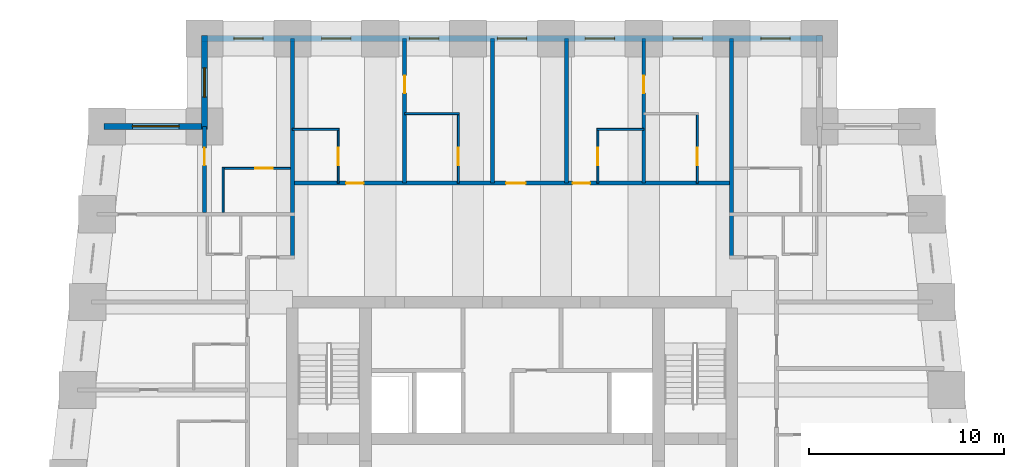
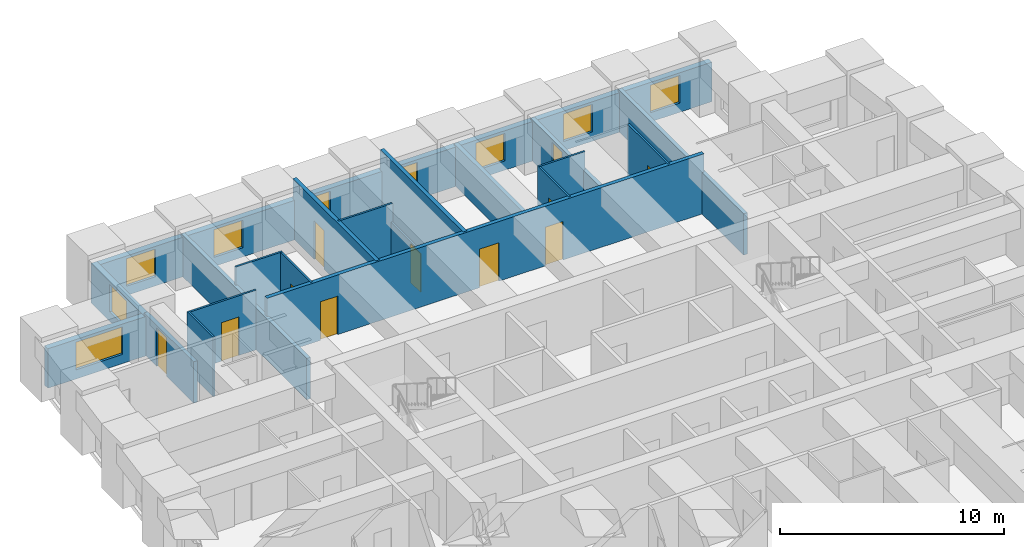
# One storey, part 6 of 8: 20 walls, 11 doors, 9 windows, 20 openings.
"""IFC4 building model written with IfcOpenShell, lengths in metres."""

from ifc_helpers import new_model, si_unit, direction, frame, frame_2d, origin, place, context, subcontext, project, spatial, rectangle, extrude, material, layer, layer_set, type_object, element, fill, save


model = new_model("IFC4")

# Units and contexts
model_context = context("Model", 3, precision=1e-05, world=origin(), true_north=direction((0.0, 1.0)))
body_context = subcontext(model_context, "Body", "Model", "MODEL_VIEW")
ifc_project = project(units=[si_unit("LENGTHUNIT", "METRE"), si_unit("AREAUNIT", "SQUARE_METRE"), si_unit("VOLUMEUNIT", "CUBIC_METRE"), si_unit("PLANEANGLEUNIT", "RADIAN"), si_unit("MASSUNIT", "GRAM", prefix="KILO")], contexts=[model_context])

# Site, building, storey
site_placement = place(None, origin())
site = spatial("IfcSite", under=ifc_project, at=site_placement, CompositionType="ELEMENT")
building_placement = place(site_placement, origin())
building = spatial("IfcBuilding", under=site, at=building_placement, Name="Kilele Tower Hotel", CompositionType="ELEMENT")
storey_placement = place(building_placement, frame((0.0, 0.0, 114.39990234375)))
storey = spatial("IfcBuildingStorey", under=building, at=storey_placement, Name="L29", CompositionType="ELEMENT", Elevation=114.39990234375)

# Wall
ifc_material_1 = material(Name="Moisture-resistant board")
ifc_layer_1 = layer(ifc_material_1, 0.10009765625)
ifc_layer_set_1 = layer_set([ifc_layer_1], Name="Moisture-resistant board")
wall_type_1 = type_object("IfcWallType", Name="Bathroom partition 100", PredefinedType="PLUMBINGWALL", material=ifc_layer_set_1)
wall_1_placement = place(storey_placement, frame((13.5, 35.85009765625, 0.0), z_axis=(0.0, 0.0, 1.0), x_axis=(1.0, 0.0, 0.0)))
element("IfcWall", 1, at=wall_1_placement, inside=storey, type_object=wall_type_1, Name="Bathroom partition 100 L29", PredefinedType="PLUMBINGWALL", context=body_context, shape_type="SweptSolid", body=[
    extrude(rectangle(XDim=2.39990234375, YDim=0.10009765625, at=frame_2d((1.199951171875, 0.0))), origin(), (0.0, 0.0, 1.0), 3.25),
])

# Wall, opening, door
wall_2_placement = place(storey_placement, frame((15.85009765625, 33.10009765625, 0.0), z_axis=(0.0, 0.0, 1.0), x_axis=(0.0, 1.0, 0.0)))
wall_2 = element("IfcWall", 2, at=wall_2_placement, inside=storey, type_object=wall_type_1, Name="Bathroom partition 100 L29", PredefinedType="PLUMBINGWALL", context=body_context, shape_type="SweptSolid", body=[
    extrude(rectangle(XDim=2.7998046875, YDim=0.10009765625, at=frame_2d((1.39990234375, 0.0))), origin(), (0.0, 0.0, 1.0), 3.25),
])
opening_1_placement = place(wall_2_placement, frame((1.7998046875, 0.0, 0.0), z_axis=(0.0, 0.0, 1.0), x_axis=(-1.0, 0.0, 0.0)))
opening_1 = element("IfcOpeningElement", 3, at=opening_1_placement, cuts=wall_2, Name="Opening D2A", PredefinedType="OPENING", context=body_context, shape_type="SweptSolid", body=[
    extrude(rectangle(XDim=0.89990234375, YDim=2.10009765625, at=frame_2d((0.449951171875, 1.050048828125))), frame((0.0, 0.06005859375, 0.0), z_axis=(0.0, -1.0, 0.0), x_axis=(1.0, 0.0, 0.0)), (0.0, 0.0, 1.0), 0.1201171875),
])
ifc_material_2 = material(Name="Timber door leaf in hardwood frame", Category="wood")
door_type_1 = type_object("IfcDoorType", Name="Bathroom door 900", OperationType="SINGLE_SWING_LEFT", PredefinedType="DOOR", material=ifc_material_2)
door_1_placement = place(opening_1_placement, origin())
door_1 = element("IfcDoor", 4, at=door_1_placement, inside=storey, type_object=door_type_1, Name="Bathroom door 2909B", OperationType="SINGLE_SWING_RIGHT", OverallHeight=2.10009765625, OverallWidth=0.89990234375, PredefinedType="DOOR", context=body_context, shape_type="SweptSolid", body=[
    extrude(rectangle(XDim=0.89990234375, YDim=2.10009765625, at=frame_2d((0.449951171875, 1.050048828125))), frame((0.0, 0.02490234375, 0.0), z_axis=(0.0, -1.0, 0.0), x_axis=(1.0, 0.0, 0.0)), (0.0, 0.0, 1.0), 0.050048828125),
])
fill(opening_1, door_1)

# Wall
wall_3_placement = place(storey_placement, frame((19.25, 36.64990234375, 0.0), z_axis=(0.0, 0.0, 1.0), x_axis=(1.0, 0.0, 0.0)))
element("IfcWall", 5, at=wall_3_placement, inside=storey, type_object=wall_type_1, Name="Bathroom partition 100 L29", PredefinedType="PLUMBINGWALL", context=body_context, shape_type="SweptSolid", body=[
    extrude(rectangle(XDim=2.800048828125, YDim=0.10009765625, at=frame_2d((1.39990234375, 0.0))), origin(), (0.0, 0.0, 1.0), 3.25),
])

# Wall, opening, door
wall_4_placement = place(storey_placement, frame((22.0, 33.10009765625, 0.0), z_axis=(0.0, 0.0, 1.0), x_axis=(0.0, 1.0, 0.0)))
wall_4 = element("IfcWall", 6, at=wall_4_placement, inside=storey, type_object=wall_type_1, Name="Bathroom partition 100 L29", PredefinedType="PLUMBINGWALL", context=body_context, shape_type="SweptSolid", body=[
    extrude(rectangle(XDim=3.599853515625, YDim=0.10009765625, at=frame_2d((1.7998046875, 0.0))), origin(), (0.0, 0.0, 1.0), 2.25),
])
opening_2_placement = place(wall_4_placement, frame((1.7998046875, 0.0, 0.0), z_axis=(0.0, 0.0, 1.0), x_axis=(-1.0, 0.0, 0.0)))
opening_2 = element("IfcOpeningElement", 7, at=opening_2_placement, cuts=wall_4, Name="Opening D2A", PredefinedType="OPENING", context=body_context, shape_type="SweptSolid", body=[
    extrude(rectangle(XDim=0.89990234375, YDim=2.10009765625, at=frame_2d((0.449951171875, 1.050048828125))), frame((0.0, 0.06005859375, 0.0), z_axis=(0.0, -1.0, 0.0), x_axis=(1.0, 0.0, 0.0)), (0.0, 0.0, 1.0), 0.1201171875),
])
door_2_placement = place(opening_2_placement, origin())
door_2 = element("IfcDoor", 8, at=door_2_placement, inside=storey, type_object=door_type_1, Name="Bathroom door 2910B", OperationType="SINGLE_SWING_RIGHT", OverallHeight=2.10009765625, OverallWidth=0.89990234375, PredefinedType="DOOR", context=body_context, shape_type="SweptSolid", body=[
    extrude(rectangle(XDim=0.89990234375, YDim=2.10009765625, at=frame_2d((0.449951171875, 1.050048828125))), frame((0.0, 0.02490234375, 0.0), z_axis=(0.0, -1.0, 0.0), x_axis=(1.0, 0.0, 0.0)), (0.0, 0.0, 1.0), 0.050048828125),
])
fill(opening_2, door_2)

# Wall
wall_5_placement = place(storey_placement, frame((29.10009765625, 35.85009765625, 0.0), z_axis=(0.0, 0.0, 1.0), x_axis=(1.0, 0.0, 0.0)))
element("IfcWall", 9, at=wall_5_placement, inside=storey, type_object=wall_type_1, Name="Bathroom partition 100 L29", PredefinedType="PLUMBINGWALL", context=body_context, shape_type="SweptSolid", body=[
    extrude(rectangle(XDim=2.39990234375, YDim=0.10009765625, at=frame_2d((1.199951171875, 0.0))), origin(), (0.0, 0.0, 1.0), 3.25),
])

# Wall, opening, door
wall_6_placement = place(storey_placement, frame((29.14990234375, 33.10009765625, 0.0), z_axis=(0.0, 0.0, 1.0), x_axis=(0.0, 1.0, 0.0)))
wall_6 = element("IfcWall", 10, at=wall_6_placement, inside=storey, type_object=wall_type_1, Name="Bathroom partition 100 L29", PredefinedType="PLUMBINGWALL", context=body_context, shape_type="SweptSolid", body=[
    extrude(rectangle(XDim=2.7998046875, YDim=0.10009765625, at=frame_2d((1.39990234375, 0.0))), origin(), (0.0, 0.0, 1.0), 3.25),
])
opening_3_placement = place(wall_6_placement, frame((0.89990234375, 0.0, 0.0)))
opening_3 = element("IfcOpeningElement", 11, at=opening_3_placement, cuts=wall_6, Name="Opening D2A", PredefinedType="OPENING", context=body_context, shape_type="SweptSolid", body=[
    extrude(rectangle(XDim=0.89990234375, YDim=2.10009765625, at=frame_2d((0.449951171875, 1.050048828125))), frame((0.0, 0.06005859375, 0.0), z_axis=(0.0, -1.0, 0.0), x_axis=(1.0, 0.0, 0.0)), (0.0, 0.0, 1.0), 0.1201171875),
])
door_3_placement = place(opening_3_placement, origin())
door_3 = element("IfcDoor", 12, at=door_3_placement, inside=storey, type_object=door_type_1, Name="Bathroom door 2912B", OperationType="SINGLE_SWING_LEFT", OverallHeight=2.10009765625, OverallWidth=0.89990234375, PredefinedType="DOOR", context=body_context, shape_type="SweptSolid", body=[
    extrude(rectangle(XDim=0.89990234375, YDim=2.10009765625, at=frame_2d((0.449951171875, 1.050048828125))), frame((0.0, 0.02490234375, 0.0), z_axis=(0.0, -1.0, 0.0), x_axis=(1.0, 0.0, 0.0)), (0.0, 0.0, 1.0), 0.050048828125),
])
fill(opening_3, door_3)

wall_7_placement = place(storey_placement, frame((34.25, 33.10009765625, 0.0), z_axis=(0.0, 0.0, 1.0), x_axis=(0.0, 1.0, 0.0)))
wall_7 = element("IfcWall", 13, at=wall_7_placement, inside=storey, type_object=wall_type_1, Name="Bathroom partition 100 L29", PredefinedType="PLUMBINGWALL", context=body_context, shape_type="SweptSolid", body=[
    extrude(rectangle(XDim=3.599853515625, YDim=0.10009765625, at=frame_2d((1.7998046875, 0.0))), origin(), (0.0, 0.0, 1.0), 3.25),
])
opening_4_placement = place(wall_7_placement, frame((1.7998046875, 0.0, 0.0), z_axis=(0.0, 0.0, 1.0), x_axis=(-1.0, 0.0, 0.0)))
opening_4 = element("IfcOpeningElement", 14, at=opening_4_placement, cuts=wall_7, Name="Opening D2A", PredefinedType="OPENING", context=body_context, shape_type="SweptSolid", body=[
    extrude(rectangle(XDim=0.89990234375, YDim=2.10009765625, at=frame_2d((0.449951171875, 1.050048828125))), frame((0.0, 0.06005859375, 0.0), z_axis=(0.0, -1.0, 0.0), x_axis=(1.0, 0.0, 0.0)), (0.0, 0.0, 1.0), 0.1201171875),
])
door_4_placement = place(opening_4_placement, origin())
door_4 = element("IfcDoor", 15, at=door_4_placement, inside=storey, type_object=door_type_1, Name="Bathroom door 2913B", OperationType="SINGLE_SWING_RIGHT", OverallHeight=2.10009765625, OverallWidth=0.89990234375, PredefinedType="DOOR", context=body_context, shape_type="SweptSolid", body=[
    extrude(rectangle(XDim=0.89990234375, YDim=2.10009765625, at=frame_2d((0.449951171875, 1.050048828125))), frame((0.0, 0.02490234375, 0.0), z_axis=(0.0, -1.0, 0.0), x_axis=(1.0, 0.0, 0.0)), (0.0, 0.0, 1.0), 0.050048828125),
])
fill(opening_4, door_4)

# Wall
wall_8_placement = place(storey_placement, frame((9.949951171875, 31.60009765625, 0.0), z_axis=(0.0, 0.0, 1.0), x_axis=(0.0, 1.0, 0.0)))
element("IfcWall", 16, at=wall_8_placement, inside=storey, type_object=wall_type_1, Name="Bathroom partition 100 L29", PredefinedType="PLUMBINGWALL", context=body_context, shape_type="SweptSolid", body=[
    extrude(rectangle(XDim=2.2998046875, YDim=0.10009765625, at=frame_2d((1.14990234375, 0.0))), origin(), (0.0, 0.0, 1.0), 3.25),
])

# Wall, opening, door
wall_9_placement = place(storey_placement, frame((13.39990234375, 33.85009765625, 0.0), z_axis=(0.0, 0.0, 1.0), x_axis=(-1.0, 0.0, 0.0)))
wall_9 = element("IfcWall", 17, at=wall_9_placement, inside=storey, type_object=wall_type_1, Name="Bathroom partition 100 L29", PredefinedType="PLUMBINGWALL", context=body_context, shape_type="SweptSolid", body=[
    extrude(rectangle(XDim=3.5, YDim=0.10009765625, at=frame_2d((1.75, 0.0))), origin(), (0.0, 0.0, 1.0), 3.25),
])
opening_5_placement = place(wall_9_placement, frame((1.7998046875, 0.0, 0.0), z_axis=(0.0, 0.0, 1.0), x_axis=(-1.0, 0.0, 0.0)))
opening_5 = element("IfcOpeningElement", 18, at=opening_5_placement, cuts=wall_9, Name="Opening D2A", PredefinedType="OPENING", context=body_context, shape_type="SweptSolid", body=[
    extrude(rectangle(XDim=0.89990234375, YDim=2.10009765625, at=frame_2d((0.449951171875, 1.050048828125))), frame((0.0, 0.06005859375, 0.0), z_axis=(0.0, -1.0, 0.0), x_axis=(1.0, 0.0, 0.0)), (0.0, 0.0, 1.0), 0.1201171875),
])
door_5_placement = place(opening_5_placement, origin())
door_5 = element("IfcDoor", 19, at=door_5_placement, inside=storey, type_object=door_type_1, Name="Bathroom door 2927B", OperationType="SINGLE_SWING_RIGHT", OverallHeight=2.10009765625, OverallWidth=0.89990234375, PredefinedType="DOOR", context=body_context, shape_type="SweptSolid", body=[
    extrude(rectangle(XDim=0.89990234375, YDim=2.10009765625, at=frame_2d((0.449951171875, 1.050048828125))), frame((0.0, 0.02490234375, 0.0), z_axis=(0.0, -1.0, 0.0), x_axis=(1.0, 0.0, 0.0)), (0.0, 0.0, 1.0), 0.050048828125),
])
fill(opening_5, door_5)

# Wall, openings, doors
ifc_material_3 = material(Name="Blockwork, plastered both sides", Category="masonry")
ifc_layer_2 = layer(ifc_material_3, 0.199951171875)
ifc_layer_set_2 = layer_set([ifc_layer_2], Name="Blockwork, plastered both sides")
wall_type_2 = type_object("IfcWallType", Name="Corridor wall 200", PredefinedType="PARTITIONING", material=ifc_layer_set_2)
wall_10_placement = place(storey_placement, frame((13.5, 33.10009765625, 0.0), z_axis=(0.0, 0.0, 1.0), x_axis=(1.0, 0.0, 0.0)))
wall_10 = element("IfcWall", 20, at=wall_10_placement, inside=storey, type_object=wall_type_2, Name="Corridor wall 200 L29", PredefinedType="PARTITIONING", context=body_context, shape_type="SweptSolid", body=[
    extrude(rectangle(XDim=22.5, YDim=0.199951171875, at=frame_2d((11.25, 0.0))), origin(), (0.0, 0.0, 1.0), 3.25),
])
opening_6_placement = place(wall_10_placement, frame((2.75, 0.0, 0.0)))
opening_6 = element("IfcOpeningElement", 21, at=opening_6_placement, cuts=wall_10, Name="Opening D1", PredefinedType="OPENING", context=body_context, shape_type="SweptSolid", body=[
    extrude(rectangle(XDim=0.89990234375, YDim=2.10009765625, at=frame_2d((0.449951171875, 1.050048828125))), frame((0.0, 0.10986328125, 0.0), z_axis=(0.0, -1.0, 0.0), x_axis=(1.0, 0.0, 0.0)), (0.0, 0.0, 1.0), 0.219970703125),
])
opening_7_placement = place(wall_10_placement, frame((10.949951171875, 0.0, 0.0)))
opening_7 = element("IfcOpeningElement", 22, at=opening_7_placement, cuts=wall_10, Name="Opening D8", PredefinedType="OPENING", context=body_context, shape_type="SweptSolid", body=[
    extrude(rectangle(XDim=1.0, YDim=2.10009765625, at=frame_2d((0.5, 1.050048828125))), frame((0.0, 0.10986328125, 0.0), z_axis=(0.0, -1.0, 0.0), x_axis=(1.0, 0.0, 0.0)), (0.0, 0.0, 1.0), 0.219970703125),
])
opening_8_placement = place(wall_10_placement, frame((14.35009765625, 0.0, 0.0)))
opening_8 = element("IfcOpeningElement", 23, at=opening_8_placement, cuts=wall_10, Name="Opening D1", PredefinedType="OPENING", context=body_context, shape_type="SweptSolid", body=[
    extrude(rectangle(XDim=0.89990234375, YDim=2.10009765625, at=frame_2d((0.449951171875, 1.050048828125))), frame((0.0, 0.10986328125, 0.0), z_axis=(0.0, -1.0, 0.0), x_axis=(1.0, 0.0, 0.0)), (0.0, 0.0, 1.0), 0.219970703125),
])
ifc_material_4 = material(Name="Timber door leaf in hardwood frame", Category="wood")
door_type_2 = type_object("IfcDoorType", Name="Door 1000", OperationType="SINGLE_SWING_LEFT", PredefinedType="DOOR", material=ifc_material_4)
door_6_placement = place(opening_7_placement, origin())
door_6 = element("IfcDoor", 24, at=door_6_placement, inside=storey, type_object=door_type_2, Name="Room entrance 2911", OperationType="SINGLE_SWING_LEFT", OverallHeight=2.10009765625, OverallWidth=1.0, PredefinedType="DOOR", context=body_context, shape_type="SweptSolid", body=[
    extrude(rectangle(XDim=1.0, YDim=2.10009765625, at=frame_2d((0.5, 1.050048828125))), frame((0.0, 0.02490234375, 0.0), z_axis=(0.0, -1.0, 0.0), x_axis=(1.0, 0.0, 0.0)), (0.0, 0.0, 1.0), 0.050048828125),
])
fill(opening_7, door_6)
ifc_material_5 = material(Name="Timber door leaf in hardwood frame", Category="wood")
door_type_3 = type_object("IfcDoorType", Name="Guest room entrance door 900", OperationType="SINGLE_SWING_LEFT", PredefinedType="DOOR", material=ifc_material_5)
door_7_placement = place(opening_6_placement, origin())
door_7 = element("IfcDoor", 25, at=door_7_placement, inside=storey, type_object=door_type_3, Name="Room entrance 2909", OperationType="SINGLE_SWING_LEFT", OverallHeight=2.10009765625, OverallWidth=0.89990234375, PredefinedType="DOOR", context=body_context, shape_type="SweptSolid", body=[
    extrude(rectangle(XDim=0.89990234375, YDim=2.10009765625, at=frame_2d((0.449951171875, 1.050048828125))), frame((0.0, 0.02490234375, 0.0), z_axis=(0.0, -1.0, 0.0), x_axis=(1.0, 0.0, 0.0)), (0.0, 0.0, 1.0), 0.050048828125),
])
fill(opening_6, door_7)
door_8_placement = place(opening_8_placement, origin())
door_8 = element("IfcDoor", 26, at=door_8_placement, inside=storey, type_object=door_type_3, Name="Room entrance 2912", OperationType="SINGLE_SWING_LEFT", OverallHeight=2.10009765625, OverallWidth=0.89990234375, PredefinedType="DOOR", context=body_context, shape_type="SweptSolid", body=[
    extrude(rectangle(XDim=0.89990234375, YDim=2.10009765625, at=frame_2d((0.449951171875, 1.050048828125))), frame((0.0, 0.02490234375, 0.0), z_axis=(0.0, -1.0, 0.0), x_axis=(1.0, 0.0, 0.0)), (0.0, 0.0, 1.0), 0.050048828125),
])
fill(opening_8, door_8)

# Wall, opening, door
ifc_material_6 = material(Name="Blockwork, plastered both sides", Category="masonry")
ifc_layer_3 = layer(ifc_material_6, 0.199951171875)
ifc_layer_set_3 = layer_set([ifc_layer_3], Name="Blockwork, plastered both sides")
wall_type_3 = type_object("IfcWallType", Name="Partition wall 200", PredefinedType="PARTITIONING", material=ifc_layer_set_3)
wall_11_placement = place(storey_placement, frame((9.0, 31.60009765625, 0.0), z_axis=(0.0, 0.0, 1.0), x_axis=(0.0, 1.0, 0.0)))
wall_11 = element("IfcWall", 27, at=wall_11_placement, inside=storey, type_object=wall_type_3, Name="Partition wall 200 L29", PredefinedType="PARTITIONING", context=body_context, shape_type="SweptSolid", body=[
    extrude(rectangle(XDim=4.39990234375, YDim=0.199951171875, at=frame_2d((2.199951171875, 0.0))), origin(), (0.0, 0.0, 1.0), 2.25),
])
opening_9_placement = place(wall_11_placement, frame((3.2998046875, 0.0, 0.0), z_axis=(0.0, 0.0, 1.0), x_axis=(-1.0, 0.0, 0.0)))
opening_9 = element("IfcOpeningElement", 28, at=opening_9_placement, cuts=wall_11, Name="Opening D3", PredefinedType="OPENING", context=body_context, shape_type="SweptSolid", body=[
    extrude(rectangle(XDim=0.89990234375, YDim=2.10009765625, at=frame_2d((0.449951171875, 1.050048828125))), frame((0.0, 0.10986328125, 0.0), z_axis=(0.0, -1.0, 0.0), x_axis=(1.0, 0.0, 0.0)), (0.0, 0.0, 1.0), 0.219970703125),
])
ifc_material_7 = material(Name="Timber door leaf in hardwood frame", Category="wood")
door_type_4 = type_object("IfcDoorType", Name="Suite internal door 900", OperationType="SINGLE_SWING_LEFT", PredefinedType="DOOR", material=ifc_material_7)
door_9_placement = place(opening_9_placement, origin())
door_9 = element("IfcDoor", 29, at=door_9_placement, inside=storey, type_object=door_type_4, Name="Suite door 2928", OperationType="SINGLE_SWING_RIGHT", OverallHeight=2.10009765625, OverallWidth=0.89990234375, PredefinedType="DOOR", context=body_context, shape_type="SweptSolid", body=[
    extrude(rectangle(XDim=0.89990234375, YDim=2.10009765625, at=frame_2d((0.449951171875, 1.050048828125))), frame((0.0, 0.02490234375, 0.0), z_axis=(0.0, -1.0, 0.0), x_axis=(1.0, 0.0, 0.0)), (0.0, 0.0, 1.0), 0.050048828125),
])
fill(opening_9, door_9)

ifc_material_8 = material(Name="Blockwork, plastered both sides", Category="masonry")
ifc_layer_4 = layer(ifc_material_8, 0.199951171875)
ifc_layer_set_4 = layer_set([ifc_layer_4], Name="Blockwork, plastered both sides")
wall_type_4 = type_object("IfcWallType", Name="Party wall 200", PredefinedType="PARTITIONING", material=ifc_layer_set_4)
wall_12_placement = place(storey_placement, frame((19.25, 33.10009765625, 0.0), z_axis=(0.0, 0.0, 1.0), x_axis=(0.0, 1.0, 0.0)))
wall_12 = element("IfcWall", 30, at=wall_12_placement, inside=storey, type_object=wall_type_4, Name="Party wall 200 L29", PredefinedType="PARTITIONING", context=body_context, shape_type="SweptSolid", body=[
    extrude(rectangle(XDim=7.39990234375, YDim=0.199951171875, at=frame_2d((3.699951171875, 0.0))), origin(), (0.0, 0.0, 1.0), 3.25),
])
opening_10_placement = place(wall_12_placement, frame((5.5, 0.0, 0.0), z_axis=(0.0, 0.0, 1.0), x_axis=(-1.0, 0.0, 0.0)))
opening_10 = element("IfcOpeningElement", 31, at=opening_10_placement, cuts=wall_12, Name="Opening D3", PredefinedType="OPENING", context=body_context, shape_type="SweptSolid", body=[
    extrude(rectangle(XDim=0.89990234375, YDim=2.10009765625, at=frame_2d((0.449951171875, 1.050048828125))), frame((0.0, 0.10986328125, 0.0), z_axis=(0.0, -1.0, 0.0), x_axis=(1.0, 0.0, 0.0)), (0.0, 0.0, 1.0), 0.219970703125),
])
door_10_placement = place(opening_10_placement, origin())
door_10 = element("IfcDoor", 32, at=door_10_placement, inside=storey, type_object=door_type_4, Name="Suite door 2910", OperationType="SINGLE_SWING_RIGHT", OverallHeight=2.10009765625, OverallWidth=0.89990234375, PredefinedType="DOOR", context=body_context, shape_type="SweptSolid", body=[
    extrude(rectangle(XDim=0.89990234375, YDim=2.10009765625, at=frame_2d((0.449951171875, 1.050048828125))), frame((0.0, 0.02490234375, 0.0), z_axis=(0.0, -1.0, 0.0), x_axis=(1.0, 0.0, 0.0)), (0.0, 0.0, 1.0), 0.050048828125),
])
fill(opening_10, door_10)

# Walls
wall_13_placement = place(storey_placement, frame((23.75, 33.10009765625, 0.0), z_axis=(0.0, 0.0, 1.0), x_axis=(0.0, 1.0, 0.0)))
element("IfcWall", 33, at=wall_13_placement, inside=storey, type_object=wall_type_4, Name="Party wall 200 L29", PredefinedType="PARTITIONING", context=body_context, shape_type="SweptSolid", body=[
    extrude(rectangle(XDim=7.39990234375, YDim=0.199951171875, at=frame_2d((3.699951171875, 0.0))), origin(), (0.0, 0.0, 1.0), 3.25),
])
wall_14_placement = place(storey_placement, frame((27.550048828125, 33.10009765625, 0.0), z_axis=(0.0, 0.0, 1.0), x_axis=(0.0, 1.0, 0.0)))
element("IfcWall", 34, at=wall_14_placement, inside=storey, type_object=wall_type_4, Name="Party wall 200 L29", PredefinedType="PARTITIONING", context=body_context, shape_type="SweptSolid", body=[
    extrude(rectangle(XDim=7.39990234375, YDim=0.199951171875, at=frame_2d((3.699951171875, 0.0))), origin(), (0.0, 0.0, 1.0), 2.25),
])

# Wall, opening, door
wall_15_placement = place(storey_placement, frame((31.5, 33.10009765625, 0.0), z_axis=(0.0, 0.0, 1.0), x_axis=(0.0, 1.0, 0.0)))
wall_15 = element("IfcWall", 35, at=wall_15_placement, inside=storey, type_object=wall_type_4, Name="Party wall 200 L29", PredefinedType="PARTITIONING", context=body_context, shape_type="SweptSolid", body=[
    extrude(rectangle(XDim=7.39990234375, YDim=0.199951171875, at=frame_2d((3.699951171875, 0.0))), origin(), (0.0, 0.0, 1.0), 2.25),
])
opening_11_placement = place(wall_15_placement, frame((5.5, 0.0, 0.0), z_axis=(0.0, 0.0, 1.0), x_axis=(-1.0, 0.0, 0.0)))
opening_11 = element("IfcOpeningElement", 36, at=opening_11_placement, cuts=wall_15, Name="Opening D3", PredefinedType="OPENING", context=body_context, shape_type="SweptSolid", body=[
    extrude(rectangle(XDim=0.89990234375, YDim=2.10009765625, at=frame_2d((0.449951171875, 1.050048828125))), frame((0.0, 0.10986328125, 0.0), z_axis=(0.0, -1.0, 0.0), x_axis=(1.0, 0.0, 0.0)), (0.0, 0.0, 1.0), 0.219970703125),
])
door_11_placement = place(opening_11_placement, origin())
door_11 = element("IfcDoor", 37, at=door_11_placement, inside=storey, type_object=door_type_4, Name="Suite door 2913", OperationType="SINGLE_SWING_RIGHT", OverallHeight=2.10009765625, OverallWidth=0.89990234375, PredefinedType="DOOR", context=body_context, shape_type="SweptSolid", body=[
    extrude(rectangle(XDim=0.89990234375, YDim=2.10009765625, at=frame_2d((0.449951171875, 1.050048828125))), frame((0.0, 0.02490234375, 0.0), z_axis=(0.0, -1.0, 0.0), x_axis=(1.0, 0.0, 0.0)), (0.0, 0.0, 1.0), 0.050048828125),
])
fill(opening_11, door_11)

# Walls
for number, where, z_axis, x_axis, name in (
    (38, (36.0, 29.300048828125, 0.0), (0.0, 0.0, 1.0), (0.0, 1.0, 0.0), "Party wall 200 L29"),
    (39, (13.5, 29.300048828125, 0.0), (0.0, 0.0, 1.0), (0.0, 1.0, 0.0), "Party wall 200 L29"),
):
    element("IfcWall", number, at=place(storey_placement, frame(where, z_axis=z_axis, x_axis=x_axis)), inside=storey, type_object=wall_type_4, Name=name, PredefinedType="PARTITIONING", context=body_context, shape_type="SweptSolid", body=[
        extrude(rectangle(XDim=11.199951171875, YDim=0.199951171875, at=frame_2d((5.60009765625, 0.0))), origin(), (0.0, 0.0, 1.0), 2.25),
    ])

# Wall, openings, windows
ifc_material_9 = material(Name="Concrete C40/50 precast", Category="concrete")
ifc_layer_5 = layer(ifc_material_9, 0.260009765625, Name="Precast backing", Category="LoadBearing")
ifc_material_10 = material(Name="Reconstituted stone finish", Category="masonry")
ifc_layer_6 = layer(ifc_material_10, 0.0400390625, Name="Face mix", Category="Finish")
ifc_layer_set_5 = layer_set([ifc_layer_5, ifc_layer_6], Name="Precast concrete C40/50, reconstituted stone finish")
wall_type_5 = type_object("IfcWallType", Name="Precast stone facade wall 300", PredefinedType="STANDARD", material=ifc_layer_set_5)
wall_16_placement = place(storey_placement, frame((40.64990234375, 40.5, 0.0), z_axis=(0.0, 0.0, 1.0), x_axis=(-1.0, 0.0, 0.0)))
wall_16 = element("IfcWall", 40, at=wall_16_placement, inside=storey, type_object=wall_type_5, Name="Facade wall L29 edge 9", PredefinedType="STANDARD", context=body_context, shape_type="SweptSolid", body=[
    extrude(rectangle(XDim=31.7998046875, YDim=0.300048828125, at=frame_2d((15.89990234375, 0.0))), origin(), (0.0, 0.0, 1.0), 2.150146484375),
])
opening_12_placement = place(wall_16_placement, frame((1.64990234375, 0.0, 0.5)))
opening_12 = element("IfcOpeningElement", 41, at=opening_12_placement, cuts=wall_16, Name="Opening W2", PredefinedType="OPENING", context=body_context, shape_type="SweptSolid", body=[
    extrude(rectangle(XDim=1.5, YDim=1.5, at=frame_2d((0.75, 0.75))), frame((0.0, 0.159912109375, 0.0), z_axis=(0.0, -1.0, 0.0), x_axis=(1.0, 0.0, 0.0)), (0.0, 0.0, 1.0), 0.320068359375),
])
opening_13_placement = place(wall_16_placement, frame((6.14990234375, 0.0, 0.5)))
opening_13 = element("IfcOpeningElement", 42, at=opening_13_placement, cuts=wall_16, Name="Opening W2", PredefinedType="OPENING", context=body_context, shape_type="SweptSolid", body=[
    extrude(rectangle(XDim=1.5, YDim=1.5, at=frame_2d((0.75, 0.75))), frame((0.0, 0.159912109375, 0.0), z_axis=(0.0, -1.0, 0.0), x_axis=(1.0, 0.0, 0.0)), (0.0, 0.0, 1.0), 0.320068359375),
])
opening_14_placement = place(wall_16_placement, frame((10.64990234375, 0.0, 0.5)))
opening_14 = element("IfcOpeningElement", 43, at=opening_14_placement, cuts=wall_16, Name="Opening W2", PredefinedType="OPENING", context=body_context, shape_type="SweptSolid", body=[
    extrude(rectangle(XDim=1.5, YDim=1.5, at=frame_2d((0.75, 0.75))), frame((0.0, 0.159912109375, 0.0), z_axis=(0.0, -1.0, 0.0), x_axis=(1.0, 0.0, 0.0)), (0.0, 0.0, 1.0), 0.320068359375),
])
opening_15_placement = place(wall_16_placement, frame((15.14990234375, 0.0, 0.5)))
opening_15 = element("IfcOpeningElement", 44, at=opening_15_placement, cuts=wall_16, Name="Opening W2", PredefinedType="OPENING", context=body_context, shape_type="SweptSolid", body=[
    extrude(rectangle(XDim=1.5, YDim=1.5, at=frame_2d((0.75, 0.75))), frame((0.0, 0.159912109375, 0.0), z_axis=(0.0, -1.0, 0.0), x_axis=(1.0, 0.0, 0.0)), (0.0, 0.0, 1.0), 0.320068359375),
])
opening_16_placement = place(wall_16_placement, frame((19.64990234375, 0.0, 0.5)))
opening_16 = element("IfcOpeningElement", 45, at=opening_16_placement, cuts=wall_16, Name="Opening W2", PredefinedType="OPENING", context=body_context, shape_type="SweptSolid", body=[
    extrude(rectangle(XDim=1.5, YDim=1.5, at=frame_2d((0.75, 0.75))), frame((0.0, 0.159912109375, 0.0), z_axis=(0.0, -1.0, 0.0), x_axis=(1.0, 0.0, 0.0)), (0.0, 0.0, 1.0), 0.320068359375),
])
opening_17_placement = place(wall_16_placement, frame((24.14990234375, 0.0, 0.5)))
opening_17 = element("IfcOpeningElement", 46, at=opening_17_placement, cuts=wall_16, Name="Opening W2", PredefinedType="OPENING", context=body_context, shape_type="SweptSolid", body=[
    extrude(rectangle(XDim=1.5, YDim=1.5, at=frame_2d((0.75, 0.75))), frame((0.0, 0.159912109375, 0.0), z_axis=(0.0, -1.0, 0.0), x_axis=(1.0, 0.0, 0.0)), (0.0, 0.0, 1.0), 0.320068359375),
])
opening_18_placement = place(wall_16_placement, frame((28.64990234375, 0.0, 0.5)))
opening_18 = element("IfcOpeningElement", 47, at=opening_18_placement, cuts=wall_16, Name="Opening W2", PredefinedType="OPENING", context=body_context, shape_type="SweptSolid", body=[
    extrude(rectangle(XDim=1.5, YDim=1.5, at=frame_2d((0.75, 0.75))), frame((0.0, 0.159912109375, 0.0), z_axis=(0.0, -1.0, 0.0), x_axis=(1.0, 0.0, 0.0)), (0.0, 0.0, 1.0), 0.320068359375),
])
ifc_material_11 = material(Name="Aluminium frame, clear double glazing", Category="aluminium")
window_type_1 = type_object("IfcWindowType", Name="Window W2 1500 x 1500", PartitioningType="SINGLE_PANEL", PredefinedType="WINDOW", material=ifc_material_11)
window_1_placement = place(opening_12_placement, origin())
window_1 = element("IfcWindow", 48, at=window_1_placement, inside=storey, type_object=window_type_1, Name="Window L29", OverallHeight=1.5, OverallWidth=1.5, PartitioningType="SINGLE_PANEL", PredefinedType="WINDOW", context=body_context, shape_type="SweptSolid", body=[
    extrude(rectangle(XDim=1.5, YDim=1.5, at=frame_2d((0.75, 0.75))), frame((0.0, 0.030029296875, 0.0), z_axis=(0.0, -1.0, 0.0), x_axis=(1.0, 0.0, 0.0)), (0.0, 0.0, 1.0), 0.06005859375),
])
fill(opening_12, window_1)
window_2_placement = place(opening_13_placement, origin())
window_2 = element("IfcWindow", 49, at=window_2_placement, inside=storey, type_object=window_type_1, Name="Window L29", OverallHeight=1.5, OverallWidth=1.5, PartitioningType="SINGLE_PANEL", PredefinedType="WINDOW", context=body_context, shape_type="SweptSolid", body=[
    extrude(rectangle(XDim=1.5, YDim=1.5, at=frame_2d((0.75, 0.75))), frame((0.0, 0.030029296875, 0.0), z_axis=(0.0, -1.0, 0.0), x_axis=(1.0, 0.0, 0.0)), (0.0, 0.0, 1.0), 0.06005859375),
])
fill(opening_13, window_2)
window_3_placement = place(opening_14_placement, origin())
window_3 = element("IfcWindow", 50, at=window_3_placement, inside=storey, type_object=window_type_1, Name="Window L29", OverallHeight=1.5, OverallWidth=1.5, PartitioningType="SINGLE_PANEL", PredefinedType="WINDOW", context=body_context, shape_type="SweptSolid", body=[
    extrude(rectangle(XDim=1.5, YDim=1.5, at=frame_2d((0.75, 0.75))), frame((0.0, 0.030029296875, 0.0), z_axis=(0.0, -1.0, 0.0), x_axis=(1.0, 0.0, 0.0)), (0.0, 0.0, 1.0), 0.06005859375),
])
fill(opening_14, window_3)
window_4_placement = place(opening_15_placement, origin())
window_4 = element("IfcWindow", 51, at=window_4_placement, inside=storey, type_object=window_type_1, Name="Window L29", OverallHeight=1.5, OverallWidth=1.5, PartitioningType="SINGLE_PANEL", PredefinedType="WINDOW", context=body_context, shape_type="SweptSolid", body=[
    extrude(rectangle(XDim=1.5, YDim=1.5, at=frame_2d((0.75, 0.75))), frame((0.0, 0.030029296875, 0.0), z_axis=(0.0, -1.0, 0.0), x_axis=(1.0, 0.0, 0.0)), (0.0, 0.0, 1.0), 0.06005859375),
])
fill(opening_15, window_4)
window_5_placement = place(opening_16_placement, origin())
window_5 = element("IfcWindow", 52, at=window_5_placement, inside=storey, type_object=window_type_1, Name="Window L29", OverallHeight=1.5, OverallWidth=1.5, PartitioningType="SINGLE_PANEL", PredefinedType="WINDOW", context=body_context, shape_type="SweptSolid", body=[
    extrude(rectangle(XDim=1.5, YDim=1.5, at=frame_2d((0.75, 0.75))), frame((0.0, 0.030029296875, 0.0), z_axis=(0.0, -1.0, 0.0), x_axis=(1.0, 0.0, 0.0)), (0.0, 0.0, 1.0), 0.06005859375),
])
fill(opening_16, window_5)
window_6_placement = place(opening_17_placement, origin())
window_6 = element("IfcWindow", 53, at=window_6_placement, inside=storey, type_object=window_type_1, Name="Window L29", OverallHeight=1.5, OverallWidth=1.5, PartitioningType="SINGLE_PANEL", PredefinedType="WINDOW", context=body_context, shape_type="SweptSolid", body=[
    extrude(rectangle(XDim=1.5, YDim=1.5, at=frame_2d((0.75, 0.75))), frame((0.0, 0.030029296875, 0.0), z_axis=(0.0, -1.0, 0.0), x_axis=(1.0, 0.0, 0.0)), (0.0, 0.0, 1.0), 0.06005859375),
])
fill(opening_17, window_6)
window_7_placement = place(opening_18_placement, origin())
window_7 = element("IfcWindow", 54, at=window_7_placement, inside=storey, type_object=window_type_1, Name="Window L29", OverallHeight=1.5, OverallWidth=1.5, PartitioningType="SINGLE_PANEL", PredefinedType="WINDOW", context=body_context, shape_type="SweptSolid", body=[
    extrude(rectangle(XDim=1.5, YDim=1.5, at=frame_2d((0.75, 0.75))), frame((0.0, 0.030029296875, 0.0), z_axis=(0.0, -1.0, 0.0), x_axis=(1.0, 0.0, 0.0)), (0.0, 0.0, 1.0), 0.06005859375),
])
fill(opening_18, window_7)

# Wall, opening, window
wall_17_placement = place(storey_placement, frame((9.0, 40.64990234375, 0.0), z_axis=(0.0, 0.0, 1.0), x_axis=(0.0, -1.0, 0.0)))
wall_17 = element("IfcWall", 55, at=wall_17_placement, inside=storey, type_object=wall_type_5, Name="Facade wall L29 edge 10", PredefinedType="STANDARD", context=body_context, shape_type="SweptSolid", body=[
    extrude(rectangle(XDim=4.7998046875, YDim=0.300048828125, at=frame_2d((2.39990234375, 0.0))), origin(), (0.0, 0.0, 1.0), 2.150146484375),
])
opening_19_placement = place(wall_17_placement, frame((1.64990234375, 0.0, 0.5)))
opening_19 = element("IfcOpeningElement", 56, at=opening_19_placement, cuts=wall_17, Name="Opening W2", PredefinedType="OPENING", context=body_context, shape_type="SweptSolid", body=[
    extrude(rectangle(XDim=1.5, YDim=1.5, at=frame_2d((0.75, 0.75))), frame((0.0, 0.159912109375, 0.0), z_axis=(0.0, -1.0, 0.0), x_axis=(1.0, 0.0, 0.0)), (0.0, 0.0, 1.0), 0.320068359375),
])
window_8_placement = place(opening_19_placement, origin())
window_8 = element("IfcWindow", 57, at=window_8_placement, inside=storey, type_object=window_type_1, Name="Window L29", OverallHeight=1.5, OverallWidth=1.5, PartitioningType="SINGLE_PANEL", PredefinedType="WINDOW", context=body_context, shape_type="SweptSolid", body=[
    extrude(rectangle(XDim=1.5, YDim=1.5, at=frame_2d((0.75, 0.75))), frame((0.0, 0.030029296875, 0.0), z_axis=(0.0, -1.0, 0.0), x_axis=(1.0, 0.0, 0.0)), (0.0, 0.0, 1.0), 0.06005859375),
])
fill(opening_19, window_8)

wall_18_placement = place(storey_placement, frame((9.14990234375, 36.0, 0.0), z_axis=(0.0, 0.0, 1.0), x_axis=(-1.0, 0.0, 0.0)))
wall_18 = element("IfcWall", 58, at=wall_18_placement, inside=storey, type_object=wall_type_5, Name="Facade wall L29 edge 11", PredefinedType="STANDARD", context=body_context, shape_type="SweptSolid", body=[
    extrude(rectangle(XDim=5.2998046875, YDim=0.300048828125, at=frame_2d((2.64990234375, 0.0))), origin(), (0.0, 0.0, 1.0), 2.150146484375),
])
opening_20_placement = place(wall_18_placement, frame((1.449951171875, 0.0, 0.5)))
opening_20 = element("IfcOpeningElement", 59, at=opening_20_placement, cuts=wall_18, Name="Opening W2", PredefinedType="OPENING", context=body_context, shape_type="SweptSolid", body=[
    extrude(rectangle(XDim=2.39990234375, YDim=1.5, at=frame_2d((1.199951171875, 0.75))), frame((0.0, 0.159912109375, 0.0), z_axis=(0.0, -1.0, 0.0), x_axis=(1.0, 0.0, 0.0)), (0.0, 0.0, 1.0), 0.320068359375),
])
ifc_material_12 = material(Name="Aluminium frame, clear double glazing", Category="aluminium")
window_type_2 = type_object("IfcWindowType", Name="Window W2 2400 x 1500", PartitioningType="SINGLE_PANEL", PredefinedType="WINDOW", material=ifc_material_12)
window_9_placement = place(opening_20_placement, origin())
window_9 = element("IfcWindow", 60, at=window_9_placement, inside=storey, type_object=window_type_2, Name="Window L29", OverallHeight=1.5, OverallWidth=2.39990234375, PartitioningType="SINGLE_PANEL", PredefinedType="WINDOW", context=body_context, shape_type="SweptSolid", body=[
    extrude(rectangle(XDim=2.39990234375, YDim=1.5, at=frame_2d((1.199951171875, 0.75))), frame((0.0, 0.030029296875, 0.0), z_axis=(0.0, -1.0, 0.0), x_axis=(1.0, 0.0, 0.0)), (0.0, 0.0, 1.0), 0.06005859375),
])
fill(opening_20, window_9)

save(model, "model.ifc")
